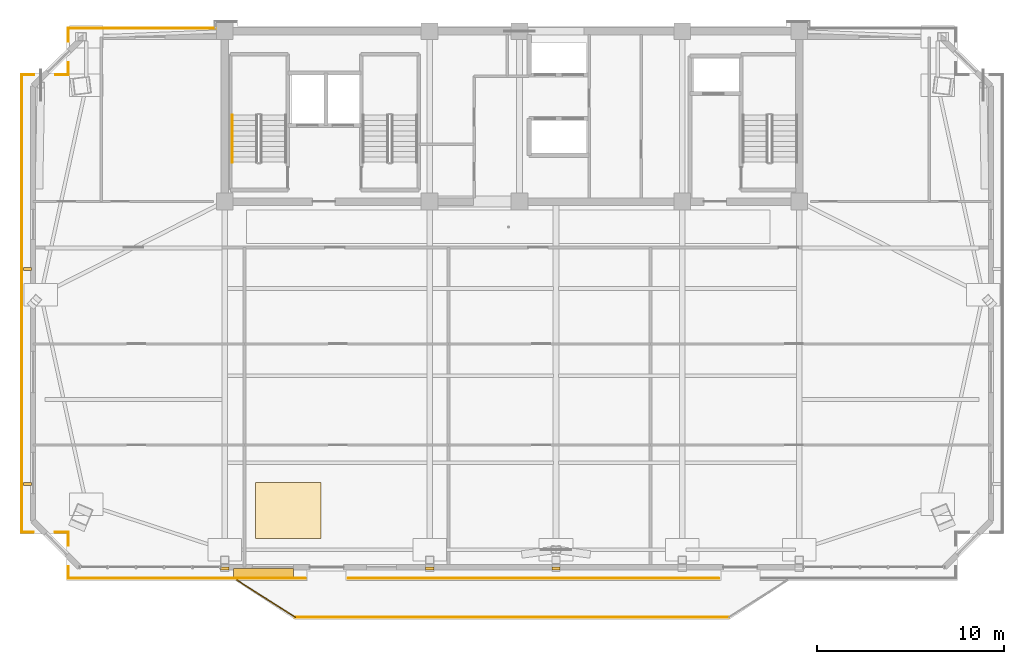
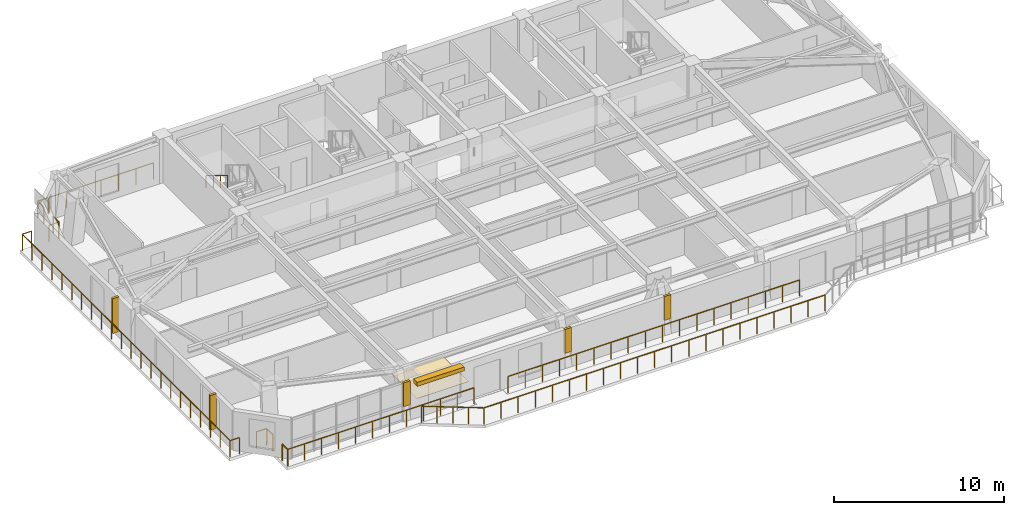
# One storey, part 13 of 15: 16 railings, 4 coverings, 3 shading devices.
"""IFC4 building model written with IfcOpenShell, lengths in metres."""

from ifc_helpers import new_model, si_unit, direction, frame, origin, origin_2d, place, context, subcontext, project, spatial, polyline, rectangle, outline, extrude, source, transform, mapped, material, layer, layer_set, type_object, element, save


model = new_model("IFC4")

# Units and contexts
model_context = context("Model", 3, precision=1e-05, world=origin(), true_north=direction((0.0, 1.0)))
body_context = subcontext(model_context, "Body", "Model", "MODEL_VIEW")
ifc_project = project(units=[si_unit("LENGTHUNIT", "METRE"), si_unit("AREAUNIT", "SQUARE_METRE"), si_unit("VOLUMEUNIT", "CUBIC_METRE"), si_unit("PLANEANGLEUNIT", "RADIAN"), si_unit("MASSUNIT", "GRAM", prefix="KILO")], contexts=[model_context])

# Site, building, storey
site_placement = place(None, origin())
site = spatial("IfcSite", under=ifc_project, at=site_placement, CompositionType="ELEMENT")
building_placement = place(site_placement, origin())
building = spatial("IfcBuilding", under=site, at=building_placement, Name="Giltprow Tower", CompositionType="ELEMENT")
storey_placement = place(building_placement, frame((0.0, 0.0, 290.39990234375)))
storey = spatial("IfcBuildingStorey", under=building, at=storey_placement, Name="L74", CompositionType="ELEMENT", Elevation=290.39990234375)

# Coverings
ifc_material_1 = material(Name="Engineered oak", Category="wood")
ifc_layer_1 = layer(ifc_material_1, 0.02490234375, Name="Engineered oak")
ifc_layer_set_1 = layer_set([ifc_layer_1], Name="Engineered oak")
covering_type_1 = type_object("IfcCoveringType", Name="COV-FLR-TIMBER", PredefinedType="FLOORING", material=ifc_layer_set_1)
covering_1_placement = place(storey_placement, origin())
element("IfcCovering", 1, at=covering_1_placement, inside=storey, type_object=covering_type_1, Name="L74 Residence Oak Parquet Flooring", PredefinedType="FLOORING", context=body_context, shape_type="SweptSolid", body=[
    extrude(outline(polyline([(21.5, 19.44091796875), (25.0, 19.44091796875), (25.0, 22.44091796875), (21.5, 22.44091796875), (21.5, 19.44091796875)])), origin(), (0.0, 0.0, 1.0), 0.025146484375),
])
ifc_material_2 = material(Name="Anodized bronze", Category="metal")
ifc_layer_2 = layer(ifc_material_2, 0.0400390625, Name="Anodized bronze")
ifc_layer_set_2 = layer_set([ifc_layer_2], Name="Anodized bronze")
covering_type_2 = type_object("IfcCoveringType", Name="COV-SOFFIT-BRONZE", PredefinedType="CLADDING", material=ifc_layer_set_2)
covering_2_placement = place(storey_placement, frame((0.0, 0.0, 1.10009765625)))
element("IfcCovering", 2, at=covering_2_placement, inside=storey, type_object=covering_type_2, Name="L74 Setback Pier Closure Cladding S-1", PredefinedType="CLADDING", context=body_context, shape_type="SweptSolid", body=[
    extrude(outline(polyline([(19.625, 17.76806640625), (20.074951171875, 17.76806640625), (20.074951171875, 17.927978515625), (19.625, 17.927978515625), (19.625, 17.76806640625)])), origin(), (0.0, 0.0, 1.0), 1.715087890625),
])
covering_3_placement = place(storey_placement, frame((0.0, 0.0, 1.10009765625)))
element("IfcCovering", 3, at=covering_3_placement, inside=storey, type_object=covering_type_2, Name="L74 Setback Pier Closure Cladding S-2", PredefinedType="CLADDING", context=body_context, shape_type="SweptSolid", body=[
    extrude(outline(polyline([(30.574951171875, 17.76806640625), (31.02490234375, 17.76806640625), (31.02490234375, 17.927978515625), (30.574951171875, 17.927978515625), (30.574951171875, 17.76806640625)])), origin(), (0.0, 0.0, 1.0), 1.715087890625),
])
covering_4_placement = place(storey_placement, frame((0.0, 0.0, 1.10009765625)))
element("IfcCovering", 4, at=covering_4_placement, inside=storey, type_object=covering_type_2, Name="L74 Setback Pier Closure Cladding S-3", PredefinedType="CLADDING", context=body_context, shape_type="SweptSolid", body=[
    extrude(outline(polyline([(37.324951171875, 17.76806640625), (37.77490234375, 17.76806640625), (37.77490234375, 17.927978515625), (37.324951171875, 17.927978515625), (37.324951171875, 17.76806640625)])), origin(), (0.0, 0.0, 1.0), 1.715087890625),
])

# Railings
railing_type_1 = type_object("IfcRailingType", Name="RAIL-BALC-GUARD-1200", PredefinedType="BALUSTRADE", material=ifc_material_2)
railing_1_placement = place(storey_placement, frame((20.52001953125, 17.2080078125, 0.0)))
element("IfcRailing", 5, at=railing_1_placement, inside=storey, type_object=railing_type_1, Name="L74 Waterfront Balcony Balustrade Seg 1", PredefinedType="BALUSTRADE", context=body_context, shape_type="SweptSolid", body=[
    extrude(rectangle(XDim=0.048095703125, YDim=0.048095703125, at=origin_2d()), frame((0.0, 0.0, 1.17578125), z_axis=(0.84277487735, -0.538266203757, 0.0), x_axis=(0.538266203757, 0.84277487735, 0.0)), (0.0, 0.0, 1.0), 3.678466796875),
    extrude(rectangle(XDim=0.0419921875, YDim=0.0419921875, at=origin_2d()), origin(), (0.0, 0.0, 1.0), 1.15185546875),
    extrude(rectangle(XDim=0.0419921875, YDim=0.0419921875, at=origin_2d()), frame((0.77490234375, -0.4951171875, 0.0)), (0.0, 0.0, 1.0), 1.15185546875),
    extrude(rectangle(XDim=0.0419921875, YDim=0.0419921875, at=origin_2d()), frame((1.550048828125, -0.989990234375, 0.0)), (0.0, 0.0, 1.0), 1.15185546875),
    extrude(rectangle(XDim=0.0419921875, YDim=0.0419921875, at=origin_2d()), frame((2.3251953125, -1.48486328125, 0.0)), (0.0, 0.0, 1.0), 1.15185546875),
    extrude(rectangle(XDim=0.0419921875, YDim=0.0419921875, at=origin_2d()), frame((3.10009765625, -1.97998046875, 0.0)), (0.0, 0.0, 1.0), 1.15185546875),
])
railing_2_placement = place(storey_placement, frame((23.6201171875, 15.22802734375, 0.0)))
element("IfcRailing", 6, at=railing_2_placement, inside=storey, type_object=railing_type_1, Name="L74 Waterfront Balcony Balustrade Seg 2", PredefinedType="BALUSTRADE", context=body_context, shape_type="SweptSolid", body=[
    extrude(rectangle(XDim=0.048095703125, YDim=0.048095703125, at=origin_2d()), frame((0.0, 0.0, 1.17578125), z_axis=(1.0, 0.0, 0.0), x_axis=(0.0, 1.0, 0.0)), (0.0, 0.0, 1.0), 23.159912109375),
    extrude(rectangle(XDim=0.0419921875, YDim=0.0419921875, at=origin_2d()), origin(), (0.0, 0.0, 1.0), 1.15185546875),
    extrude(rectangle(XDim=0.0419921875, YDim=0.0419921875, at=origin_2d()), frame((1.157958984375, 0.0, 0.0)), (0.0, 0.0, 1.0), 1.15185546875),
    extrude(rectangle(XDim=0.0419921875, YDim=0.0419921875, at=origin_2d()), frame((2.31591796875, 0.0, 0.0)), (0.0, 0.0, 1.0), 1.15185546875),
    extrude(rectangle(XDim=0.0419921875, YDim=0.0419921875, at=origin_2d()), frame((3.473876953125, 0.0, 0.0)), (0.0, 0.0, 1.0), 1.15185546875),
    extrude(rectangle(XDim=0.0419921875, YDim=0.0419921875, at=origin_2d()), frame((4.632080078125, 0.0, 0.0)), (0.0, 0.0, 1.0), 1.15185546875),
    extrude(rectangle(XDim=0.0419921875, YDim=0.0419921875, at=origin_2d()), frame((5.7900390625, 0.0, 0.0)), (0.0, 0.0, 1.0), 1.15185546875),
    extrude(rectangle(XDim=0.0419921875, YDim=0.0419921875, at=origin_2d()), frame((6.947998046875, 0.0, 0.0)), (0.0, 0.0, 1.0), 1.15185546875),
    extrude(rectangle(XDim=0.0419921875, YDim=0.0419921875, at=origin_2d()), frame((8.10595703125, 0.0, 0.0)), (0.0, 0.0, 1.0), 1.15185546875),
    extrude(rectangle(XDim=0.0419921875, YDim=0.0419921875, at=origin_2d()), frame((9.263916015625, 0.0, 0.0)), (0.0, 0.0, 1.0), 1.15185546875),
    extrude(rectangle(XDim=0.0419921875, YDim=0.0419921875, at=origin_2d()), frame((10.421875, 0.0, 0.0)), (0.0, 0.0, 1.0), 1.15185546875),
    extrude(rectangle(XDim=0.0419921875, YDim=0.0419921875, at=origin_2d()), frame((11.580078125, 0.0, 0.0)), (0.0, 0.0, 1.0), 1.15185546875),
    extrude(rectangle(XDim=0.0419921875, YDim=0.0419921875, at=origin_2d()), frame((12.738037109375, 0.0, 0.0)), (0.0, 0.0, 1.0), 1.15185546875),
    extrude(rectangle(XDim=0.0419921875, YDim=0.0419921875, at=origin_2d()), frame((13.89599609375, 0.0, 0.0)), (0.0, 0.0, 1.0), 1.15185546875),
    extrude(rectangle(XDim=0.0419921875, YDim=0.0419921875, at=origin_2d()), frame((15.053955078125, 0.0, 0.0)), (0.0, 0.0, 1.0), 1.15185546875),
    extrude(rectangle(XDim=0.0419921875, YDim=0.0419921875, at=origin_2d()), frame((16.2119140625, 0.0, 0.0)), (0.0, 0.0, 1.0), 1.15185546875),
    extrude(rectangle(XDim=0.0419921875, YDim=0.0419921875, at=origin_2d()), frame((17.369873046875, 0.0, 0.0)), (0.0, 0.0, 1.0), 1.15185546875),
    extrude(rectangle(XDim=0.0419921875, YDim=0.0419921875, at=origin_2d()), frame((18.52783203125, 0.0, 0.0)), (0.0, 0.0, 1.0), 1.15185546875),
    extrude(rectangle(XDim=0.0419921875, YDim=0.0419921875, at=origin_2d()), frame((19.68603515625, 0.0, 0.0)), (0.0, 0.0, 1.0), 1.15185546875),
    extrude(rectangle(XDim=0.0419921875, YDim=0.0419921875, at=origin_2d()), frame((20.843994140625, 0.0, 0.0)), (0.0, 0.0, 1.0), 1.15185546875),
    extrude(rectangle(XDim=0.0419921875, YDim=0.0419921875, at=origin_2d()), frame((22.001953125, 0.0, 0.0)), (0.0, 0.0, 1.0), 1.15185546875),
    extrude(rectangle(XDim=0.0419921875, YDim=0.0419921875, at=origin_2d()), frame((23.159912109375, 0.0, 0.0)), (0.0, 0.0, 1.0), 1.15185546875),
])
railing_3_placement = place(storey_placement, frame((46.25, 17.30810546875, 0.0)))
element("IfcRailing", 7, at=railing_3_placement, inside=storey, type_object=railing_type_1, Name="L74 Corner Apron Edge Balustrade 7", PredefinedType="BALUSTRADE", context=body_context, shape_type="SweptSolid", body=[
    extrude(rectangle(XDim=0.048095703125, YDim=0.048095703125, at=origin_2d()), frame((0.0, 0.0, 1.17578125), z_axis=(-1.0, 0.0, 0.0), x_axis=(0.0, -1.0, 0.0)), (0.0, 0.0, 1.0), 19.800048828125),
    extrude(rectangle(XDim=0.0419921875, YDim=0.0419921875, at=origin_2d()), origin(), (0.0, 0.0, 1.0), 1.15185546875),
    extrude(rectangle(XDim=0.0419921875, YDim=0.0419921875, at=origin_2d()), frame((-1.164794921875, 0.0, 0.0)), (0.0, 0.0, 1.0), 1.15185546875),
    extrude(rectangle(XDim=0.0419921875, YDim=0.0419921875, at=origin_2d()), frame((-2.329345703125, 0.0, 0.0)), (0.0, 0.0, 1.0), 1.15185546875),
    extrude(rectangle(XDim=0.0419921875, YDim=0.0419921875, at=origin_2d()), frame((-3.494140625, 0.0, 0.0)), (0.0, 0.0, 1.0), 1.15185546875),
    extrude(rectangle(XDim=0.0419921875, YDim=0.0419921875, at=origin_2d()), frame((-4.658935546875, 0.0, 0.0)), (0.0, 0.0, 1.0), 1.15185546875),
    extrude(rectangle(XDim=0.0419921875, YDim=0.0419921875, at=origin_2d()), frame((-5.823486328125, 0.0, 0.0)), (0.0, 0.0, 1.0), 1.15185546875),
    extrude(rectangle(XDim=0.0419921875, YDim=0.0419921875, at=origin_2d()), frame((-6.98828125, 0.0, 0.0)), (0.0, 0.0, 1.0), 1.15185546875),
    extrude(rectangle(XDim=0.0419921875, YDim=0.0419921875, at=origin_2d()), frame((-8.153076171875, 0.0, 0.0)), (0.0, 0.0, 1.0), 1.15185546875),
    extrude(rectangle(XDim=0.0419921875, YDim=0.0419921875, at=origin_2d()), frame((-9.317626953125, 0.0, 0.0)), (0.0, 0.0, 1.0), 1.15185546875),
    extrude(rectangle(XDim=0.0419921875, YDim=0.0419921875, at=origin_2d()), frame((-10.482421875, 0.0, 0.0)), (0.0, 0.0, 1.0), 1.15185546875),
    extrude(rectangle(XDim=0.0419921875, YDim=0.0419921875, at=origin_2d()), frame((-11.64697265625, 0.0, 0.0)), (0.0, 0.0, 1.0), 1.15185546875),
    extrude(rectangle(XDim=0.0419921875, YDim=0.0419921875, at=origin_2d()), frame((-12.811767578125, 0.0, 0.0)), (0.0, 0.0, 1.0), 1.15185546875),
    extrude(rectangle(XDim=0.0419921875, YDim=0.0419921875, at=origin_2d()), frame((-13.9765625, 0.0, 0.0)), (0.0, 0.0, 1.0), 1.15185546875),
    extrude(rectangle(XDim=0.0419921875, YDim=0.0419921875, at=origin_2d()), frame((-15.14111328125, 0.0, 0.0)), (0.0, 0.0, 1.0), 1.15185546875),
    extrude(rectangle(XDim=0.0419921875, YDim=0.0419921875, at=origin_2d()), frame((-16.305908203125, 0.0, 0.0)), (0.0, 0.0, 1.0), 1.15185546875),
    extrude(rectangle(XDim=0.0419921875, YDim=0.0419921875, at=origin_2d()), frame((-17.470703125, 0.0, 0.0)), (0.0, 0.0, 1.0), 1.15185546875),
    extrude(rectangle(XDim=0.0419921875, YDim=0.0419921875, at=origin_2d()), frame((-18.63525390625, 0.0, 0.0)), (0.0, 0.0, 1.0), 1.15185546875),
    extrude(rectangle(XDim=0.0419921875, YDim=0.0419921875, at=origin_2d()), frame((-19.800048828125, 0.0, 0.0)), (0.0, 0.0, 1.0), 1.15185546875),
])
railing_4_placement = place(storey_placement, frame((24.14990234375, 17.30810546875, 0.0)))
element("IfcRailing", 8, at=railing_4_placement, inside=storey, type_object=railing_type_1, Name="L74 Corner Apron Edge Balustrade 8", PredefinedType="BALUSTRADE", context=body_context, shape_type="SweptSolid", body=[
    extrude(rectangle(XDim=0.048095703125, YDim=0.048095703125, at=origin_2d()), frame((0.0, 0.0, 1.17578125), z_axis=(-1.0, 0.0, 0.0), x_axis=(0.0, -1.0, 0.0)), (0.0, 0.0, 1.0), 12.663818359375),
    extrude(rectangle(XDim=0.0419921875, YDim=0.0419921875, at=origin_2d()), origin(), (0.0, 0.0, 1.0), 1.15185546875),
    extrude(rectangle(XDim=0.0419921875, YDim=0.0419921875, at=origin_2d()), frame((-1.1513671875, 0.0, 0.0)), (0.0, 0.0, 1.0), 1.15185546875),
    extrude(rectangle(XDim=0.0419921875, YDim=0.0419921875, at=origin_2d()), frame((-2.302490234375, 0.0, 0.0)), (0.0, 0.0, 1.0), 1.15185546875),
    extrude(rectangle(XDim=0.0419921875, YDim=0.0419921875, at=origin_2d()), frame((-3.453857421875, 0.0, 0.0)), (0.0, 0.0, 1.0), 1.15185546875),
    extrude(rectangle(XDim=0.0419921875, YDim=0.0419921875, at=origin_2d()), frame((-4.60498046875, 0.0, 0.0)), (0.0, 0.0, 1.0), 1.15185546875),
    extrude(rectangle(XDim=0.0419921875, YDim=0.0419921875, at=origin_2d()), frame((-5.75634765625, 0.0, 0.0)), (0.0, 0.0, 1.0), 1.15185546875),
    extrude(rectangle(XDim=0.0419921875, YDim=0.0419921875, at=origin_2d()), frame((-6.907470703125, 0.0, 0.0)), (0.0, 0.0, 1.0), 1.15185546875),
    extrude(rectangle(XDim=0.0419921875, YDim=0.0419921875, at=origin_2d()), frame((-8.058837890625, 0.0, 0.0)), (0.0, 0.0, 1.0), 1.15185546875),
    extrude(rectangle(XDim=0.0419921875, YDim=0.0419921875, at=origin_2d()), frame((-9.2099609375, 0.0, 0.0)), (0.0, 0.0, 1.0), 1.15185546875),
    extrude(rectangle(XDim=0.0419921875, YDim=0.0419921875, at=origin_2d()), frame((-10.361328125, 0.0, 0.0)), (0.0, 0.0, 1.0), 1.15185546875),
    extrude(rectangle(XDim=0.0419921875, YDim=0.0419921875, at=origin_2d()), frame((-11.512451171875, 0.0, 0.0)), (0.0, 0.0, 1.0), 1.15185546875),
    extrude(rectangle(XDim=0.0419921875, YDim=0.0419921875, at=origin_2d()), frame((-12.663818359375, 0.0, 0.0)), (0.0, 0.0, 1.0), 1.15185546875),
])
railing_5_placement = place(storey_placement, frame((11.486083984375, 17.30810546875, 0.0)))
element("IfcRailing", 9, at=railing_5_placement, inside=storey, type_object=railing_type_1, Name="L74 Corner Apron Edge Balustrade 9", PredefinedType="BALUSTRADE", context=body_context, shape_type="SweptSolid", body=[
    extrude(rectangle(XDim=0.048095703125, YDim=0.048095703125, at=origin_2d()), frame((0.0, 0.0, 1.17578125), z_axis=(0.0, 1.0, 0.0), x_axis=(-1.0, 0.0, 0.0)), (0.0, 0.0, 1.0), 0.619873046875),
    extrude(rectangle(XDim=0.0419921875, YDim=0.0419921875, at=origin_2d()), origin(), (0.0, 0.0, 1.0), 1.15185546875),
    extrude(rectangle(XDim=0.0419921875, YDim=0.0419921875, at=origin_2d()), frame((0.0, 0.619873046875, 0.0)), (0.0, 0.0, 1.0), 1.15185546875),
])
railing_6_placement = place(storey_placement, frame((11.486083984375, 19.087890625, 0.0)))
element("IfcRailing", 10, at=railing_6_placement, inside=storey, type_object=railing_type_1, Name="L74 Corner Apron Edge Balustrade 10", PredefinedType="BALUSTRADE", context=body_context, shape_type="SweptSolid", body=[
    extrude(rectangle(XDim=0.048095703125, YDim=0.048095703125, at=origin_2d()), frame((0.0, 0.0, 1.17578125), z_axis=(0.0, 1.0, 0.0), x_axis=(-1.0, 0.0, 0.0)), (0.0, 0.0, 1.0), 0.697021484375),
    extrude(rectangle(XDim=0.0419921875, YDim=0.0419921875, at=origin_2d()), origin(), (0.0, 0.0, 1.0), 1.15185546875),
    extrude(rectangle(XDim=0.0419921875, YDim=0.0419921875, at=origin_2d()), frame((0.0, 0.697021484375, 0.0)), (0.0, 0.0, 1.0), 1.15185546875),
])
railing_7_placement = place(storey_placement, frame((11.486083984375, 19.784912109375, 0.0)))
element("IfcRailing", 11, at=railing_7_placement, inside=storey, type_object=railing_type_1, Name="L74 Corner Apron Edge Balustrade 11", PredefinedType="BALUSTRADE", context=body_context, shape_type="SweptSolid", body=[
    extrude(rectangle(XDim=0.048095703125, YDim=0.048095703125, at=origin_2d()), frame((0.0, 0.0, 1.17578125), z_axis=(-1.0, 0.0, 0.0), x_axis=(0.0, -1.0, 0.0)), (0.0, 0.0, 1.0), 0.697021484375),
    extrude(rectangle(XDim=0.0419921875, YDim=0.0419921875, at=origin_2d()), origin(), (0.0, 0.0, 1.0), 1.15185546875),
    extrude(rectangle(XDim=0.0419921875, YDim=0.0419921875, at=origin_2d()), frame((-0.697021484375, 0.0, 0.0)), (0.0, 0.0, 1.0), 1.15185546875),
])
railing_8_placement = place(storey_placement, frame((9.62890625, 19.784912109375, 0.0)))
element("IfcRailing", 12, at=railing_8_placement, inside=storey, type_object=railing_type_1, Name="L74 Corner Apron Edge Balustrade 12", PredefinedType="BALUSTRADE", context=body_context, shape_type="SweptSolid", body=[
    extrude(rectangle(XDim=0.048095703125, YDim=0.048095703125, at=origin_2d()), frame((0.0, 0.0, 1.17578125), z_axis=(-1.0, 0.0, 0.0), x_axis=(0.0, -1.0, 0.0)), (0.0, 0.0, 1.0), 0.619873046875),
    extrude(rectangle(XDim=0.0419921875, YDim=0.0419921875, at=origin_2d()), origin(), (0.0, 0.0, 1.0), 1.15185546875),
    extrude(rectangle(XDim=0.0419921875, YDim=0.0419921875, at=origin_2d()), frame((-0.619873046875, 0.0, 0.0)), (0.0, 0.0, 1.0), 1.15185546875),
])
railing_9_placement = place(storey_placement, frame((9.009033203125, 19.784912109375, 0.0)))
element("IfcRailing", 13, at=railing_9_placement, inside=storey, type_object=railing_type_1, Name="L74 Corner Apron Edge Balustrade 13", PredefinedType="BALUSTRADE", context=body_context, shape_type="SweptSolid", body=[
    extrude(rectangle(XDim=0.048095703125, YDim=0.048095703125, at=origin_2d()), frame((0.0, 0.0, 1.17578125), z_axis=(0.0, 1.0, 0.0), x_axis=(-1.0, 0.0, 0.0)), (0.0, 0.0, 1.0), 24.43701171875),
    extrude(rectangle(XDim=0.0419921875, YDim=0.0419921875, at=origin_2d()), origin(), (0.0, 0.0, 1.0), 1.15185546875),
    extrude(rectangle(XDim=0.0419921875, YDim=0.0419921875, at=origin_2d()), frame((0.0, 1.16357421875, 0.0)), (0.0, 0.0, 1.0), 1.15185546875),
    extrude(rectangle(XDim=0.0419921875, YDim=0.0419921875, at=origin_2d()), frame((0.0, 2.327392578125, 0.0)), (0.0, 0.0, 1.0), 1.15185546875),
    extrude(rectangle(XDim=0.0419921875, YDim=0.0419921875, at=origin_2d()), frame((0.0, 3.490966796875, 0.0)), (0.0, 0.0, 1.0), 1.15185546875),
    extrude(rectangle(XDim=0.0419921875, YDim=0.0419921875, at=origin_2d()), frame((0.0, 4.65478515625, 0.0)), (0.0, 0.0, 1.0), 1.15185546875),
    extrude(rectangle(XDim=0.0419921875, YDim=0.0419921875, at=origin_2d()), frame((0.0, 5.818359375, 0.0)), (0.0, 0.0, 1.0), 1.15185546875),
    extrude(rectangle(XDim=0.0419921875, YDim=0.0419921875, at=origin_2d()), frame((0.0, 6.98193359375, 0.0)), (0.0, 0.0, 1.0), 1.15185546875),
    extrude(rectangle(XDim=0.0419921875, YDim=0.0419921875, at=origin_2d()), frame((0.0, 8.145751953125, 0.0)), (0.0, 0.0, 1.0), 1.15185546875),
    extrude(rectangle(XDim=0.0419921875, YDim=0.0419921875, at=origin_2d()), frame((0.0, 9.309326171875, 0.0)), (0.0, 0.0, 1.0), 1.15185546875),
    extrude(rectangle(XDim=0.0419921875, YDim=0.0419921875, at=origin_2d()), frame((0.0, 10.472900390625, 0.0)), (0.0, 0.0, 1.0), 1.15185546875),
    extrude(rectangle(XDim=0.0419921875, YDim=0.0419921875, at=origin_2d()), frame((0.0, 11.63671875, 0.0)), (0.0, 0.0, 1.0), 1.15185546875),
    extrude(rectangle(XDim=0.0419921875, YDim=0.0419921875, at=origin_2d()), frame((0.0, 12.80029296875, 0.0)), (0.0, 0.0, 1.0), 1.15185546875),
    extrude(rectangle(XDim=0.0419921875, YDim=0.0419921875, at=origin_2d()), frame((0.0, 13.964111328125, 0.0)), (0.0, 0.0, 1.0), 1.15185546875),
    extrude(rectangle(XDim=0.0419921875, YDim=0.0419921875, at=origin_2d()), frame((0.0, 15.127685546875, 0.0)), (0.0, 0.0, 1.0), 1.15185546875),
    extrude(rectangle(XDim=0.0419921875, YDim=0.0419921875, at=origin_2d()), frame((0.0, 16.291259765625, 0.0)), (0.0, 0.0, 1.0), 1.15185546875),
    extrude(rectangle(XDim=0.0419921875, YDim=0.0419921875, at=origin_2d()), frame((0.0, 17.455078125, 0.0)), (0.0, 0.0, 1.0), 1.15185546875),
    extrude(rectangle(XDim=0.0419921875, YDim=0.0419921875, at=origin_2d()), frame((0.0, 18.61865234375, 0.0)), (0.0, 0.0, 1.0), 1.15185546875),
    extrude(rectangle(XDim=0.0419921875, YDim=0.0419921875, at=origin_2d()), frame((0.0, 19.7822265625, 0.0)), (0.0, 0.0, 1.0), 1.15185546875),
    extrude(rectangle(XDim=0.0419921875, YDim=0.0419921875, at=origin_2d()), frame((0.0, 20.946044921875, 0.0)), (0.0, 0.0, 1.0), 1.15185546875),
    extrude(rectangle(XDim=0.0419921875, YDim=0.0419921875, at=origin_2d()), frame((0.0, 22.109619140625, 0.0)), (0.0, 0.0, 1.0), 1.15185546875),
    extrude(rectangle(XDim=0.0419921875, YDim=0.0419921875, at=origin_2d()), frame((0.0, 23.2734375, 0.0)), (0.0, 0.0, 1.0), 1.15185546875),
    extrude(rectangle(XDim=0.0419921875, YDim=0.0419921875, at=origin_2d()), frame((0.0, 24.43701171875, 0.0)), (0.0, 0.0, 1.0), 1.15185546875),
])
railing_10_placement = place(storey_placement, frame((9.009033203125, 44.221923828125, 0.0)))
element("IfcRailing", 14, at=railing_10_placement, inside=storey, type_object=railing_type_1, Name="L74 Corner Apron Edge Balustrade 14", PredefinedType="BALUSTRADE", context=body_context, shape_type="SweptSolid", body=[
    extrude(rectangle(XDim=0.048095703125, YDim=0.048095703125, at=origin_2d()), frame((0.0, 0.0, 1.17578125), z_axis=(1.0, 0.0, 0.0), x_axis=(0.0, 1.0, 0.0)), (0.0, 0.0, 1.0), 0.62890625),
    extrude(rectangle(XDim=0.0419921875, YDim=0.0419921875, at=origin_2d()), origin(), (0.0, 0.0, 1.0), 1.15185546875),
    extrude(rectangle(XDim=0.0419921875, YDim=0.0419921875, at=origin_2d()), frame((0.62890625, 0.0, 0.0)), (0.0, 0.0, 1.0), 1.15185546875),
])
railing_11_placement = place(storey_placement, frame((10.81396484375, 44.221923828125, 0.0)))
element("IfcRailing", 15, at=railing_11_placement, inside=storey, type_object=railing_type_1, Name="L74 Corner Apron Edge Balustrade 15", PredefinedType="BALUSTRADE", context=body_context, shape_type="SweptSolid", body=[
    extrude(rectangle(XDim=0.048095703125, YDim=0.048095703125, at=origin_2d()), frame((0.0, 0.0, 1.17578125), z_axis=(1.0, 0.0, 0.0), x_axis=(0.0, 1.0, 0.0)), (0.0, 0.0, 1.0), 0.672119140625),
    extrude(rectangle(XDim=0.0419921875, YDim=0.0419921875, at=origin_2d()), origin(), (0.0, 0.0, 1.0), 1.15185546875),
    extrude(rectangle(XDim=0.0419921875, YDim=0.0419921875, at=origin_2d()), frame((0.672119140625, 0.0, 0.0)), (0.0, 0.0, 1.0), 1.15185546875),
])
railing_12_placement = place(storey_placement, frame((11.486083984375, 44.221923828125, 0.0)))
element("IfcRailing", 16, at=railing_12_placement, inside=storey, type_object=railing_type_1, Name="L74 Corner Apron Edge Balustrade 16", PredefinedType="BALUSTRADE", context=body_context, shape_type="SweptSolid", body=[
    extrude(rectangle(XDim=0.048095703125, YDim=0.048095703125, at=origin_2d()), frame((0.0, 0.0, 1.17578125), z_axis=(0.0, 1.0, 0.0), x_axis=(-1.0, 0.0, 0.0)), (0.0, 0.0, 1.0), 0.654052734375),
    extrude(rectangle(XDim=0.0419921875, YDim=0.0419921875, at=origin_2d()), origin(), (0.0, 0.0, 1.0), 1.15185546875),
    extrude(rectangle(XDim=0.0419921875, YDim=0.0419921875, at=origin_2d()), frame((0.0, 0.654052734375, 0.0)), (0.0, 0.0, 1.0), 1.15185546875),
])
railing_13_placement = place(storey_placement, frame((11.486083984375, 46.02001953125, 0.0)))
element("IfcRailing", 17, at=railing_13_placement, inside=storey, type_object=railing_type_1, Name="L74 Corner Apron Edge Balustrade 17", PredefinedType="BALUSTRADE", context=body_context, shape_type="SweptSolid", body=[
    extrude(rectangle(XDim=0.048095703125, YDim=0.048095703125, at=origin_2d()), frame((0.0, 0.0, 1.17578125), z_axis=(0.0, 1.0, 0.0), x_axis=(-1.0, 0.0, 0.0)), (0.0, 0.0, 1.0), 0.678955078125),
    extrude(rectangle(XDim=0.0419921875, YDim=0.0419921875, at=origin_2d()), origin(), (0.0, 0.0, 1.0), 1.15185546875),
    extrude(rectangle(XDim=0.0419921875, YDim=0.0419921875, at=origin_2d()), frame((0.0, 0.678955078125, 0.0)), (0.0, 0.0, 1.0), 1.15185546875),
])
railing_14_placement = place(storey_placement, frame((11.486083984375, 46.698974609375, 0.0)))
element("IfcRailing", 18, at=railing_14_placement, inside=storey, type_object=railing_type_1, Name="L74 Corner Apron Edge Balustrade 18", PredefinedType="BALUSTRADE", context=body_context, shape_type="SweptSolid", body=[
    extrude(rectangle(XDim=0.048095703125, YDim=0.048095703125, at=origin_2d()), frame((0.0, 0.0, 1.17578125), z_axis=(1.0, 0.0, 0.0), x_axis=(0.0, 1.0, 0.0)), (0.0, 0.0, 1.0), 0.698974609375),
    extrude(rectangle(XDim=0.0419921875, YDim=0.0419921875, at=origin_2d()), origin(), (0.0, 0.0, 1.0), 1.15185546875),
    extrude(rectangle(XDim=0.0419921875, YDim=0.0419921875, at=origin_2d()), frame((0.698974609375, 0.0, 0.0)), (0.0, 0.0, 1.0), 1.15185546875),
])
railing_15_placement = place(storey_placement, frame((12.237060546875, 46.698974609375, 0.0)))
element("IfcRailing", 19, at=railing_15_placement, inside=storey, type_object=railing_type_1, Name="L74 Corner Apron Edge Balustrade 19", PredefinedType="BALUSTRADE", context=body_context, shape_type="SweptSolid", body=[
    extrude(rectangle(XDim=0.048095703125, YDim=0.048095703125, at=origin_2d()), frame((0.0, 0.0, 1.17578125), z_axis=(1.0, 0.0, 0.0), x_axis=(0.0, 1.0, 0.0)), (0.0, 0.0, 1.0), 7.113037109375),
    extrude(rectangle(XDim=0.0419921875, YDim=0.0419921875, at=origin_2d()), origin(), (0.0, 0.0, 1.0), 1.15185546875),
    extrude(rectangle(XDim=0.0419921875, YDim=0.0419921875, at=origin_2d()), frame((1.185546875, 0.0, 0.0)), (0.0, 0.0, 1.0), 1.15185546875),
    extrude(rectangle(XDim=0.0419921875, YDim=0.0419921875, at=origin_2d()), frame((2.37109375, 0.0, 0.0)), (0.0, 0.0, 1.0), 1.15185546875),
    extrude(rectangle(XDim=0.0419921875, YDim=0.0419921875, at=origin_2d()), frame((3.556640625, 0.0, 0.0)), (0.0, 0.0, 1.0), 1.15185546875),
    extrude(rectangle(XDim=0.0419921875, YDim=0.0419921875, at=origin_2d()), frame((4.741943359375, 0.0, 0.0)), (0.0, 0.0, 1.0), 1.15185546875),
    extrude(rectangle(XDim=0.0419921875, YDim=0.0419921875, at=origin_2d()), frame((5.927490234375, 0.0, 0.0)), (0.0, 0.0, 1.0), 1.15185546875),
    extrude(rectangle(XDim=0.0419921875, YDim=0.0419921875, at=origin_2d()), frame((7.113037109375, 0.0, 0.0)), (0.0, 0.0, 1.0), 1.15185546875),
])
railing_type_2 = type_object("IfcRailingType", Name="RAIL-STAIR-HAND-900", PredefinedType="HANDRAIL", material=ifc_material_2)
railing_16_placement = place(storey_placement, frame((20.25, 42.070068359375, 1.8701171875)))
element("IfcRailing", 20, at=railing_16_placement, inside=storey, type_object=railing_type_2, Name="L74 ST-1 stair handrail 2", PredefinedType="HANDRAIL", context=body_context, shape_type="SweptSolid", body=[
    extrude(rectangle(XDim=0.048095703125, YDim=0.048095703125, at=origin_2d()), frame((0.0, 0.0, 0.8759765625), z_axis=(0.0, -0.85478489116, 0.518982456201), x_axis=(1.0, 0.0, 0.0)), (0.0, 0.0, 1.0), 2.9482421875),
    extrude(rectangle(XDim=0.0419921875, YDim=0.0419921875, at=origin_2d()), origin(), (0.0, 0.0, 1.0), 0.851806640625),
    extrude(rectangle(XDim=0.0419921875, YDim=0.0419921875, at=origin_2d()), frame((0.0, -0.840087890625, 0.510009765625)), (0.0, 0.0, 1.0), 0.851806640625),
    extrude(rectangle(XDim=0.0419921875, YDim=0.0419921875, at=origin_2d()), frame((0.0, -1.679931640625, 1.02001953125)), (0.0, 0.0, 1.0), 0.851806640625),
    extrude(rectangle(XDim=0.0419921875, YDim=0.0419921875, at=origin_2d()), frame((0.0, -2.52001953125, 1.530029296875)), (0.0, 0.0, 1.0), 0.851806640625),
])

# Shading devices
shading_device_type_1 = type_object("IfcShadingDeviceType", Name="SHD-FIN-420", PredefinedType="USERDEFINED", material=ifc_material_2)
shared_shape_1 = source(origin(), body_context, "Body", "SweptSolid", [
    extrude(rectangle(XDim=0.419921875, YDim=0.159912109375, at=origin_2d()), origin(), (0.0, 0.0, 1.0), 2.5),
])
for number, where, z_axis, x_axis, name in (
    (21, (9.30908203125, 22.366943359375, 0.35009765625), (0.0, 0.0, 1.0), (1.0, 0.0, 0.0), "L74 W Bronze Vertical Fin 1-1"),
    (22, (9.30908203125, 33.8369140625, 0.35009765625), (0.0, 0.0, 1.0), (1.0, 0.0, 0.0), "L74 W Bronze Vertical Fin 2-1"),
):
    element("IfcShadingDevice", number, at=place(storey_placement, frame(where, z_axis=z_axis, x_axis=x_axis)), inside=storey, type_object=shading_device_type_1, Name=name, ObjectType="FIN", PredefinedType="USERDEFINED", context=body_context, shape_type="MappedRepresentation", body=[
        mapped(shared_shape_1, transform((0.0, 0.0, 0.0), x_axis=(1.0, 0.0, 0.0), y_axis=(0.0, 1.0, 0.0), z_axis=(0.0, 0.0, 1.0), scale=1.0)),
    ])
shading_device_type_2 = type_object("IfcShadingDeviceType", Name="SHD-LOUVRE-320", PredefinedType="JALOUSIE", material=ifc_material_2)
shared_shape_2 = source(origin(), body_context, "Body", "SweptSolid", [
    extrude(rectangle(XDim=3.199951171875, YDim=0.449951171875, at=origin_2d()), origin(), (0.0, 0.0, 1.0), 0.280029296875),
])
shading_device_placement = place(storey_placement, frame((21.925048828125, 17.60791015625, 2.56005859375), z_axis=(0.0, 0.0, 1.0), x_axis=(1.0, 0.0, 0.0)))
element("IfcShadingDevice", 23, at=shading_device_placement, inside=storey, type_object=shading_device_type_2, Name="L74 Bronze Sunshade Louvre S-2", PredefinedType="JALOUSIE", context=body_context, shape_type="MappedRepresentation", body=[
    mapped(shared_shape_2, transform((0.0, 0.0, 0.0), x_axis=(1.0, 0.0, 0.0), y_axis=(0.0, 1.0, 0.0), z_axis=(0.0, 0.0, 1.0), scale=1.0)),
])

save(model, "model.ifc")
